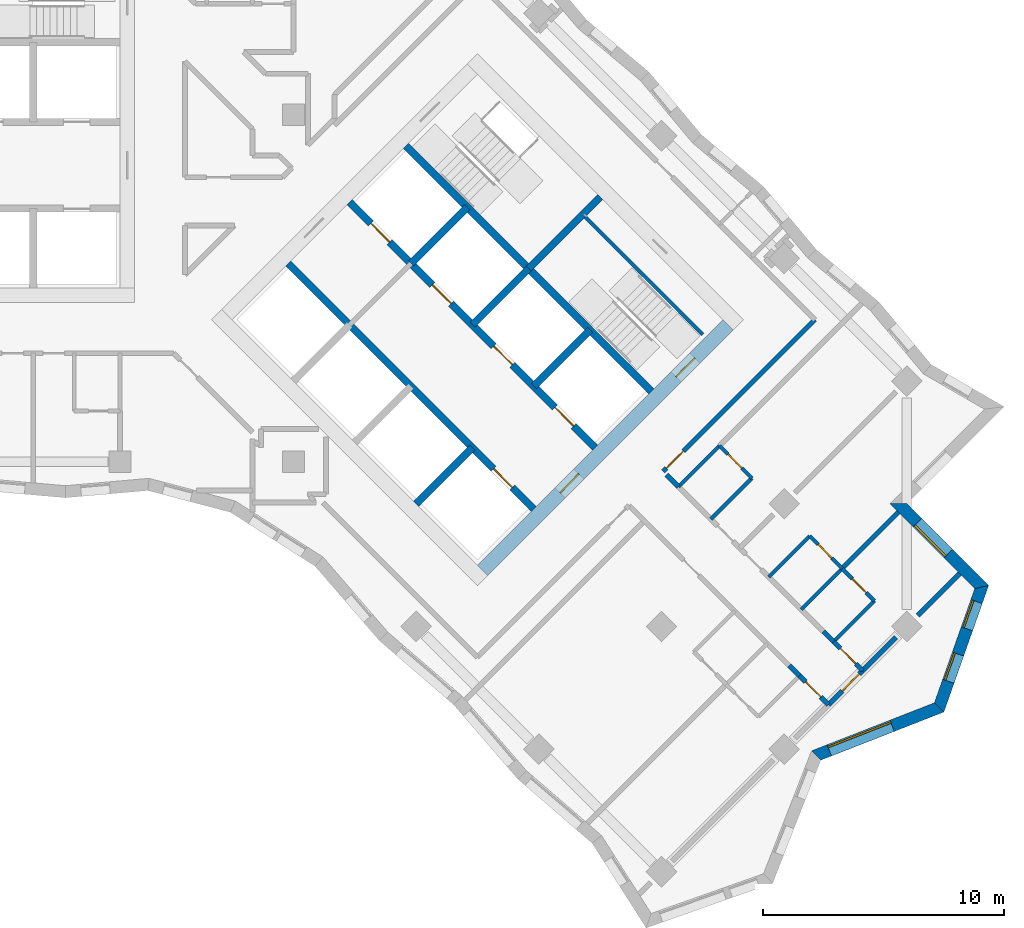
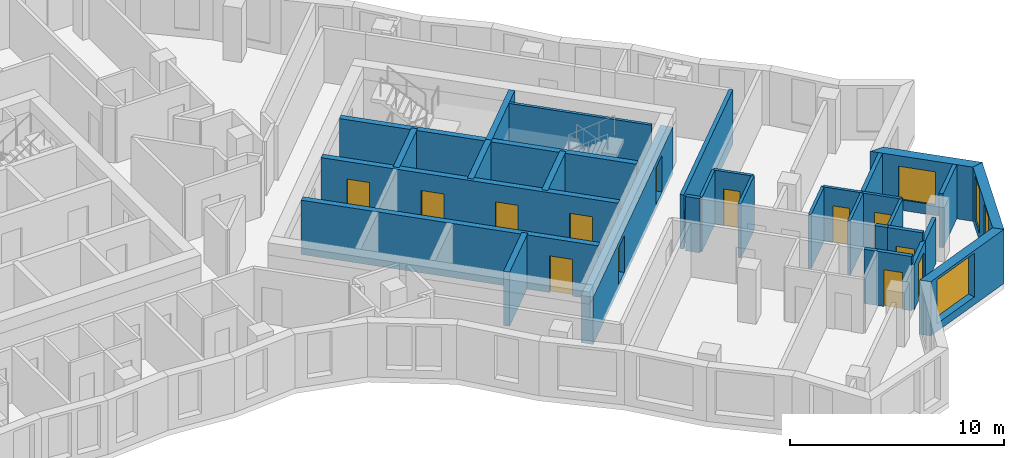
# One storey, part 8 of 12: 32 walls, 14 doors, 4 windows, 18 openings.
"""IFC4 building model written with IfcOpenShell, lengths in metres."""

from ifc_helpers import new_model, si_unit, direction, frame, frame_2d, origin, place, context, subcontext, project, spatial, polyline, rectangle, outline, extrude, material, layer, layer_set, type_object, element, fill, save


model = new_model("IFC4")

# Units and contexts
model_context = context("Model", 3, precision=1e-05, world=origin(), true_north=direction((0.0, 1.0)))
body_context = subcontext(model_context, "Body", "Model", "MODEL_VIEW")
ifc_project = project(units=[si_unit("LENGTHUNIT", "METRE"), si_unit("AREAUNIT", "SQUARE_METRE"), si_unit("VOLUMEUNIT", "CUBIC_METRE"), si_unit("PLANEANGLEUNIT", "RADIAN"), si_unit("MASSUNIT", "GRAM", prefix="KILO")], contexts=[model_context])

# Site, building, storey
site_placement = place(None, origin())
site = spatial("IfcSite", under=ifc_project, at=site_placement, CompositionType="ELEMENT")
building_placement = place(site_placement, origin())
building = spatial("IfcBuilding", under=site, at=building_placement, Name="Windrow Commons", CompositionType="ELEMENT")
storey_placement = place(building_placement, frame((0.0, 0.0, 135.4)))
storey = spatial("IfcBuildingStorey", under=building, at=storey_placement, Name="L36", CompositionType="ELEMENT", Elevation=135.4)

# Wall, opening, window
ifc_material_1 = material(Name="Brick masonry, red clay brick", Category="masonry")
ifc_layer_1 = layer(ifc_material_1, 0.5)
ifc_layer_set_1 = layer_set([ifc_layer_1], Name="Brick facade wall 500")
wall_type_1 = type_object("IfcWallType", Name="Brick facade wall 500", PredefinedType="SOLIDWALL", material=ifc_layer_set_1)
wall_1_placement = place(storey_placement, frame((100.892, 31.004, 0.0), z_axis=(0.0, 0.0, 1.0), x_axis=(0.9313377775, 0.364156483, 0.0)))
wall_1 = element("IfcWall", 1, at=wall_1_placement, inside=storey, type_object=wall_type_1, Name="Brick facade wall L36 3", PredefinedType="SOLIDWALL", context=body_context, shape_type="SweptSolid", body=[
    extrude(outline(polyline([(0.1095, -0.25), (5.595, -0.25), (5.3662, 0.25), (-0.1095, 0.25), (0.1095, -0.25)])), origin(), (0.0, 0.0, 1.0), 3.1),
])
opening_1_placement = place(wall_1_placement, frame((0.5833, 0.0, 0.45)))
opening_1 = element("IfcOpeningElement", 2, at=opening_1_placement, cuts=wall_1, Name="Opening W1U", PredefinedType="OPENING", context=body_context, shape_type="SweptSolid", body=[
    extrude(rectangle(XDim=2.8, YDim=2.5, at=frame_2d((1.4, 1.25))), frame((0.0, 0.26, 0.0), z_axis=(0.0, -1.0, 0.0), x_axis=(1.0, 0.0, 0.0)), (0.0, 0.0, 1.0), 0.52),
])
ifc_material_2 = material(Name="Clear float glass in anodised aluminium frame", Category="aluminium")
window_type_1 = type_object("IfcWindowType", Name="Window W1U bedroom 2800x2500", PartitioningType="SINGLE_PANEL", PredefinedType="WINDOW", material=ifc_material_2)
window_1_placement = place(opening_1_placement, origin())
window_1 = element("IfcWindow", 3, at=window_1_placement, inside=storey, type_object=window_type_1, Name="Window L36 3.1", OverallHeight=2.5, OverallWidth=2.8, PartitioningType="SINGLE_PANEL", PredefinedType="WINDOW", context=body_context, shape_type="SweptSolid", body=[
    extrude(rectangle(XDim=2.8, YDim=2.5, at=frame_2d((1.4, 1.25))), frame((0.0, 0.18, 0.0), z_axis=(0.0, -1.0, 0.0), x_axis=(1.0, 0.0, 0.0)), (0.0, 0.0, 1.0), 0.06),
])
fill(opening_1, window_1)

# Wall, openings, windows
wall_2_placement = place(storey_placement, frame((105.9963, 32.9998, 0.0), z_axis=(0.0, 0.0, 1.0), x_axis=(0.3333039777, 0.9428194199, 0.0)))
wall_2 = element("IfcWall", 4, at=wall_2_placement, inside=storey, type_object=wall_type_1, Name="Brick facade wall L36 4", PredefinedType="SOLIDWALL", context=body_context, shape_type="SweptSolid", body=[
    extrude(outline(polyline([(-0.1144, -0.25), (5.4543, -0.25), (5.139, 0.25), (0.1144, 0.25), (-0.1144, -0.25)])), origin(), (0.0, 0.0, 1.0), 3.1),
])
opening_2_placement = place(wall_2_placement, frame((1.1483, 0.0, 0.45)))
opening_2 = element("IfcOpeningElement", 5, at=opening_2_placement, cuts=wall_2, Name="Opening W7E", PredefinedType="OPENING", context=body_context, shape_type="SweptSolid", body=[
    extrude(rectangle(XDim=1.2, YDim=2.5, at=frame_2d((0.6, 1.25))), frame((0.0, 0.26, 0.0), z_axis=(0.0, -1.0, 0.0), x_axis=(1.0, 0.0, 0.0)), (0.0, 0.0, 1.0), 0.52),
])
opening_3_placement = place(wall_2_placement, frame((3.4606, 0.0, 0.45)))
opening_3 = element("IfcOpeningElement", 6, at=opening_3_placement, cuts=wall_2, Name="Opening W7E", PredefinedType="OPENING", context=body_context, shape_type="SweptSolid", body=[
    extrude(rectangle(XDim=1.2, YDim=2.5, at=frame_2d((0.6, 1.25))), frame((0.0, 0.26, 0.0), z_axis=(0.0, -1.0, 0.0), x_axis=(1.0, 0.0, 0.0)), (0.0, 0.0, 1.0), 0.52),
])
ifc_material_3 = material(Name="Clear float glass in anodised aluminium frame", Category="aluminium")
window_type_2 = type_object("IfcWindowType", Name="Window W7 notch 1200x2500", PartitioningType="SINGLE_PANEL", PredefinedType="WINDOW", material=ifc_material_3)
window_2_placement = place(opening_2_placement, origin())
window_2 = element("IfcWindow", 7, at=window_2_placement, inside=storey, type_object=window_type_2, Name="Window L36 4.1", OverallHeight=2.5, OverallWidth=1.2, PartitioningType="SINGLE_PANEL", PredefinedType="WINDOW", context=body_context, shape_type="SweptSolid", body=[
    extrude(rectangle(XDim=1.2, YDim=2.5, at=frame_2d((0.6, 1.25))), frame((0.0, 0.18, 0.0), z_axis=(0.0, -1.0, 0.0), x_axis=(1.0, 0.0, 0.0)), (0.0, 0.0, 1.0), 0.06),
])
fill(opening_2, window_2)
window_3_placement = place(opening_3_placement, origin())
window_3 = element("IfcWindow", 8, at=window_3_placement, inside=storey, type_object=window_type_2, Name="Window L36 4.2", OverallHeight=2.5, OverallWidth=1.2, PartitioningType="SINGLE_PANEL", PredefinedType="WINDOW", context=body_context, shape_type="SweptSolid", body=[
    extrude(rectangle(XDim=1.2, YDim=2.5, at=frame_2d((0.6, 1.25))), frame((0.0, 0.18, 0.0), z_axis=(0.0, -1.0, 0.0), x_axis=(1.0, 0.0, 0.0)), (0.0, 0.0, 1.0), 0.06),
])
fill(opening_3, window_3)

# Wall, opening, window
wall_3_placement = place(storey_placement, frame((107.7617, 37.9936, 0.0), z_axis=(0.0, 0.0, 1.0), x_axis=(-0.707117001, 0.7070965612, 0.0)))
wall_3 = element("IfcWall", 9, at=wall_3_placement, inside=storey, type_object=wall_type_1, Name="Brick facade wall L36 5", PredefinedType="SOLIDWALL", context=body_context, shape_type="SweptSolid", body=[
    extrude(outline(polyline([(-0.1577, -0.25), (4.6424, -0.25), (5.1424, 0.25), (0.1577, 0.25), (-0.1577, -0.25)])), origin(), (0.0, 0.0, 1.0), 3.1),
])
opening_4_placement = place(wall_3_placement, frame((1.9674, 0.0, 0.6)))
opening_4 = element("IfcOpeningElement", 10, at=opening_4_placement, cuts=wall_3, Name="Opening W1L", PredefinedType="OPENING", context=body_context, shape_type="SweptSolid", body=[
    extrude(rectangle(XDim=1.8, YDim=1.9, at=frame_2d((0.9, 0.95))), frame((0.0, 0.26, 0.0), z_axis=(0.0, -1.0, 0.0), x_axis=(1.0, 0.0, 0.0)), (0.0, 0.0, 1.0), 0.52),
])
ifc_material_4 = material(Name="Clear float glass in anodised aluminium frame", Category="aluminium")
window_type_3 = type_object("IfcWindowType", Name="Window W1L bedroom 1800x1900", PartitioningType="SINGLE_PANEL", PredefinedType="WINDOW", material=ifc_material_4)
window_4_placement = place(opening_4_placement, origin())
window_4 = element("IfcWindow", 11, at=window_4_placement, inside=storey, type_object=window_type_3, Name="Window L36 5.1", OverallHeight=1.9, OverallWidth=1.8, PartitioningType="SINGLE_PANEL", PredefinedType="WINDOW", context=body_context, shape_type="SweptSolid", body=[
    extrude(rectangle(XDim=1.8, YDim=1.9, at=frame_2d((0.9, 0.95))), frame((0.0, 0.18, 0.0), z_axis=(0.0, -1.0, 0.0), x_axis=(1.0, 0.0, 0.0)), (0.0, 0.0, 1.0), 0.06),
])
fill(opening_4, window_4)

# Wall, opening, door
ifc_material_5 = material(Name="Blockwork partition", Category="masonry")
ifc_layer_2 = layer(ifc_material_5, 0.2)
ifc_layer_set_2 = layer_set([ifc_layer_2], Name="IW-CORRIDOR-200")
wall_type_2 = type_object("IfcWallType", Name="IW-CORRIDOR-200", PredefinedType="PARTITIONING", material=ifc_layer_set_2)
wall_4_placement = place(storey_placement, frame((94.543, 42.797, 0.0), z_axis=(0.0, 0.0, 1.0), x_axis=(0.7071067812, 0.7071067812, 0.0)))
wall_4 = element("IfcWall", 12, at=wall_4_placement, inside=storey, type_object=wall_type_2, Name="W-L36-W010", PredefinedType="PARTITIONING", context=body_context, shape_type="SweptSolid", body=[
    extrude(rectangle(XDim=8.9011, YDim=0.2, at=frame_2d((4.4505, 0.0))), origin(), (0.0, 0.0, 1.0), 3.1),
])
opening_5_placement = place(wall_4_placement, frame((0.1931, 0.0, 0.0)))
opening_5 = element("IfcOpeningElement", 13, at=opening_5_placement, cuts=wall_4, Name="Opening D310F", PredefinedType="OPENING", context=body_context, shape_type="SweptSolid", body=[
    extrude(rectangle(XDim=1.0, YDim=2.1, at=frame_2d((0.5, 1.05))), frame((0.0, 0.11, 0.0), z_axis=(0.0, -1.0, 0.0), x_axis=(1.0, 0.0, 0.0)), (0.0, 0.0, 1.0), 0.22),
])
ifc_material_6 = material(Name="Timber door leaf", Category="wood")
door_type_1 = type_object("IfcDoorType", Name="DT-AMENITY-1000", OperationType="SINGLE_SWING_LEFT", PredefinedType="DOOR", material=ifc_material_6)
door_1_placement = place(opening_5_placement, origin())
door_1 = element("IfcDoor", 14, at=door_1_placement, inside=storey, type_object=door_type_1, Name="D-L36-D041", OperationType="SINGLE_SWING_LEFT", OverallHeight=2.1, OverallWidth=1.0, PredefinedType="DOOR", context=body_context, shape_type="SweptSolid", body=[
    extrude(rectangle(XDim=1.0, YDim=2.1, at=frame_2d((0.5, 1.05))), frame((0.0, 0.025, 0.0), z_axis=(0.0, -1.0, 0.0), x_axis=(1.0, 0.0, 0.0)), (0.0, 0.0, 1.0), 0.05),
])
fill(opening_5, door_1)

wall_5_placement = place(storey_placement, frame((101.4032, 33.1108, 0.0), z_axis=(0.0, 0.0, 1.0), x_axis=(0.7071067812, 0.7071067812, 0.0)))
wall_5 = element("IfcWall", 15, at=wall_5_placement, inside=storey, type_object=wall_type_2, Name="W-L36-W110", PredefinedType="PARTITIONING", context=body_context, shape_type="SweptSolid", body=[
    extrude(rectangle(XDim=1.9997, YDim=0.2, at=frame_2d((0.9999, 0.0))), origin(), (0.0, 0.0, 1.0), 2.6),
])
opening_6_placement = place(wall_5_placement, frame((0.8016, 0.0, 0.0)))
opening_6 = element("IfcOpeningElement", 16, at=opening_6_placement, cuts=wall_5, Name="Opening D310F", PredefinedType="OPENING", context=body_context, shape_type="SweptSolid", body=[
    extrude(rectangle(XDim=1.0, YDim=2.1, at=frame_2d((0.5, 1.05))), frame((0.0, 0.11, 0.0), z_axis=(0.0, -1.0, 0.0), x_axis=(1.0, 0.0, 0.0)), (0.0, 0.0, 1.0), 0.22),
])
door_2_placement = place(opening_6_placement, origin())
door_2 = element("IfcDoor", 17, at=door_2_placement, inside=storey, type_object=door_type_1, Name="D-L36-D053", OperationType="SINGLE_SWING_RIGHT", OverallHeight=2.1, OverallWidth=1.0, PredefinedType="DOOR", context=body_context, shape_type="SweptSolid", body=[
    extrude(rectangle(XDim=1.0, YDim=2.1, at=frame_2d((0.5, 1.05))), frame((0.0, 0.025, 0.0), z_axis=(0.0, -1.0, 0.0), x_axis=(1.0, 0.0, 0.0)), (0.0, 0.0, 1.0), 0.05),
])
fill(opening_6, door_2)

wall_6_placement = place(storey_placement, frame((100.205, 34.315, 0.0), z_axis=(0.0, 0.0, 1.0), x_axis=(0.7071067812, -0.7071067812, 0.0)))
wall_6 = element("IfcWall", 18, at=wall_6_placement, inside=storey, type_object=wall_type_2, Name="W-L36-W131", PredefinedType="PARTITIONING", context=body_context, shape_type="SweptSolid", body=[
    extrude(rectangle(XDim=1.6999, YDim=0.2, at=frame_2d((0.8499, 0.0))), origin(), (0.0, 0.0, 1.0), 3.1),
])
opening_7_placement = place(wall_6_placement, frame((0.3499, 0.0, 0.0)))
opening_7 = element("IfcOpeningElement", 19, at=opening_7_placement, cuts=wall_6, Name="Opening D109S", PredefinedType="OPENING", context=body_context, shape_type="SweptSolid", body=[
    extrude(rectangle(XDim=0.9, YDim=2.1, at=frame_2d((0.45, 1.05))), frame((0.0, 0.11, 0.0), z_axis=(0.0, -1.0, 0.0), x_axis=(1.0, 0.0, 0.0)), (0.0, 0.0, 1.0), 0.22),
])
ifc_material_7 = material(Name="Timber door leaf", Category="wood")
door_type_2 = type_object("IfcDoorType", Name="DT-BEDROOM-900", OperationType="SINGLE_SWING_LEFT", PredefinedType="DOOR", material=ifc_material_7)
door_3_placement = place(opening_7_placement, origin())
door_3 = element("IfcDoor", 20, at=door_3_placement, inside=storey, type_object=door_type_2, Name="D-L36-D049", OperationType="SINGLE_SWING_LEFT", OverallHeight=2.1, OverallWidth=0.9, PredefinedType="DOOR", context=body_context, shape_type="SweptSolid", body=[
    extrude(rectangle(XDim=0.9, YDim=2.1, at=frame_2d((0.45, 1.05))), frame((0.0, 0.025, 0.0), z_axis=(0.0, -1.0, 0.0), x_axis=(1.0, 0.0, 0.0)), (0.0, 0.0, 1.0), 0.05),
])
fill(opening_7, door_3)

wall_7_placement = place(storey_placement, frame((101.6192, 35.7292, 0.0), z_axis=(0.0, 0.0, 1.0), x_axis=(0.7071067812, -0.7071067812, 0.0)))
wall_7 = element("IfcWall", 21, at=wall_7_placement, inside=storey, type_object=wall_type_2, Name="W-L36-W132", PredefinedType="PARTITIONING", context=body_context, shape_type="SweptSolid", body=[
    extrude(rectangle(XDim=1.6999, YDim=0.2, at=frame_2d((0.8499, 0.0))), origin(), (0.0, 0.0, 1.0), 3.1),
])
opening_8_placement = place(wall_7_placement, frame((0.3999, 0.0, 0.0)))
opening_8 = element("IfcOpeningElement", 22, at=opening_8_placement, cuts=wall_7, Name="Opening D109S", PredefinedType="OPENING", context=body_context, shape_type="SweptSolid", body=[
    extrude(rectangle(XDim=0.9, YDim=2.1, at=frame_2d((0.45, 1.05))), frame((0.0, 0.11, 0.0), z_axis=(0.0, -1.0, 0.0), x_axis=(1.0, 0.0, 0.0)), (0.0, 0.0, 1.0), 0.22),
])
door_4_placement = place(opening_8_placement, origin())
door_4 = element("IfcDoor", 23, at=door_4_placement, inside=storey, type_object=door_type_2, Name="D-L36-D051", OperationType="SINGLE_SWING_RIGHT", OverallHeight=2.1, OverallWidth=0.9, PredefinedType="DOOR", context=body_context, shape_type="SweptSolid", body=[
    extrude(rectangle(XDim=0.9, YDim=2.1, at=frame_2d((0.45, 1.05))), frame((0.0, 0.025, 0.0), z_axis=(0.0, -1.0, 0.0), x_axis=(1.0, 0.0, 0.0)), (0.0, 0.0, 1.0), 0.05),
])
fill(opening_8, door_4)

# Walls
wall_8_placement = place(storey_placement, frame((94.6863, 42.6563, 0.0), z_axis=(0.0, 0.0, 1.0), x_axis=(0.7056768426, -0.7085338339, 0.0)))
element("IfcWall", 24, at=wall_8_placement, inside=storey, type_object=wall_type_2, Name="W-L36-W155", PredefinedType="PARTITIONING", context=body_context, shape_type="SweptSolid", body=[
    extrude(rectangle(XDim=0.7, YDim=0.2, at=frame_2d((0.35, 0.0))), origin(), (0.0, 0.0, 1.0), 3.1),
])
for number, where, z_axis, x_axis, name in (
    (25, (101.186, 36.1581, 0.0), (0.0, 0.0, 1.0), (0.7087454925, -0.7054642634, 0.0), "W-L36-W158"),
    (26, (99.7718, 34.7438, 0.0), (0.0, 0.0, 1.0), (0.7087454925, -0.7054642634, 0.0), "W-L36-W159"),
):
    element("IfcWall", number, at=place(storey_placement, frame(where, z_axis=z_axis, x_axis=x_axis)), inside=storey, type_object=wall_type_2, Name=name, PredefinedType="PARTITIONING", context=body_context, shape_type="SweptSolid", body=[
        extrude(rectangle(XDim=0.6095, YDim=0.2, at=frame_2d((0.3048, 0.0))), origin(), (0.0, 0.0, 1.0), 3.1),
    ])
ifc_material_8 = material(Name="Blockwork partition", Category="masonry")
ifc_layer_3 = layer(ifc_material_8, 0.15)
ifc_layer_set_3 = layer_set([ifc_layer_3], Name="IW-ENSUITE-150")
wall_type_3 = type_object("IfcWallType", Name="IW-ENSUITE-150", PredefinedType="PARTITIONING", material=ifc_layer_set_3)
for number, where, z_axis, x_axis, name in (
    (27, (96.5229, 40.8171, 0.0), (0.0, 0.0, 1.0), (0.7071067812, 0.7071067812, 0.0), "W-L36-W061"),
    (28, (98.9271, 38.4129, 0.0), (0.0, 0.0, 1.0), (0.7071067812, 0.7071067812, 0.0), "W-L36-W062"),
    (29, (95.1794, 42.1606, 0.0), (0.0, 0.0, 1.0), (0.7071067812, 0.7071067812, 0.0), "W-L36-W064"),
):
    element("IfcWall", number, at=place(storey_placement, frame(where, z_axis=z_axis, x_axis=x_axis)), inside=storey, type_object=wall_type_3, Name=name, PredefinedType="PARTITIONING", context=body_context, shape_type="SweptSolid", body=[
        extrude(rectangle(XDim=2.4013, YDim=0.15, at=frame_2d((1.2006, 0.0))), origin(), (0.0, 0.0, 1.0), 3.1),
    ])
wall_9_placement = place(storey_placement, frame((100.2726, 37.0674, 0.0), z_axis=(0.0, 0.0, 1.0), x_axis=(0.706689978, 0.7075233388, 0.0)))
element("IfcWall", 30, at=wall_9_placement, inside=storey, type_object=wall_type_3, Name="W-L36-W088", PredefinedType="PARTITIONING", context=body_context, shape_type="SweptSolid", body=[
    extrude(rectangle(XDim=2.3999, YDim=0.15, at=frame_2d((1.2, 0.0))), origin(), (0.0, 0.0, 1.0), 3.1),
])
wall_10_placement = place(storey_placement, frame((101.6151, 35.7269, 0.0), z_axis=(0.0, 0.0, 1.0), x_axis=(0.7071067812, 0.7071067812, 0.0)))
element("IfcWall", 31, at=wall_10_placement, inside=storey, type_object=wall_type_3, Name="W-L36-W091", PredefinedType="PARTITIONING", context=body_context, shape_type="SweptSolid", body=[
    extrude(rectangle(XDim=2.3985, YDim=0.15, at=frame_2d((1.1992, 0.0))), origin(), (0.0, 0.0, 1.0), 3.1),
])

# Wall, opening, door
wall_11_placement = place(storey_placement, frame((96.8813, 43.8613, 0.0), z_axis=(0.0, 0.0, 1.0), x_axis=(0.7071067812, -0.7071067812, 0.0)))
wall_11 = element("IfcWall", 32, at=wall_11_placement, inside=storey, type_object=wall_type_3, Name="W-L36-W115", PredefinedType="PARTITIONING", context=body_context, shape_type="SweptSolid", body=[
    extrude(rectangle(XDim=1.9007, YDim=0.15, at=frame_2d((0.9504, 0.0))), origin(), (0.0, 0.0, 1.0), 3.1),
])
opening_9_placement = place(wall_11_placement, frame((0.5053, 0.0, 0.0)))
opening_9 = element("IfcOpeningElement", 33, at=opening_9_placement, cuts=wall_11, Name="Opening D208N", PredefinedType="OPENING", context=body_context, shape_type="SweptSolid", body=[
    extrude(rectangle(XDim=0.8, YDim=2.1, at=frame_2d((0.4, 1.05))), frame((0.0, 0.085, 0.0), z_axis=(0.0, -1.0, 0.0), x_axis=(1.0, 0.0, 0.0)), (0.0, 0.0, 1.0), 0.17),
])
ifc_material_9 = material(Name="Timber door leaf", Category="wood")
door_type_3 = type_object("IfcDoorType", Name="DT-ENSUITE-800", OperationType="SINGLE_SWING_LEFT", PredefinedType="DOOR", material=ifc_material_9)
door_5_placement = place(opening_9_placement, origin())
door_5 = element("IfcDoor", 34, at=door_5_placement, inside=storey, type_object=door_type_3, Name="D-L36-D043", OperationType="SINGLE_SWING_RIGHT", OverallHeight=2.1, OverallWidth=0.8, PredefinedType="DOOR", context=body_context, shape_type="SweptSolid", body=[
    extrude(rectangle(XDim=0.8, YDim=2.1, at=frame_2d((0.4, 1.05))), frame((0.0, 0.025, 0.0), z_axis=(0.0, -1.0, 0.0), x_axis=(1.0, 0.0, 0.0)), (0.0, 0.0, 1.0), 0.05),
])
fill(opening_9, door_5)

wall_12_placement = place(storey_placement, frame((101.9652, 38.7632, 0.0), z_axis=(0.0, 0.0, 1.0), x_axis=(0.7071067812, -0.7071067812, 0.0)))
wall_12 = element("IfcWall", 35, at=wall_12_placement, inside=storey, type_object=wall_type_3, Name="W-L36-W116", PredefinedType="PARTITIONING", context=body_context, shape_type="SweptSolid", body=[
    extrude(rectangle(XDim=1.9007, YDim=0.15, at=frame_2d((0.9504, 0.0))), origin(), (0.0, 0.0, 1.0), 3.1),
])
opening_10_placement = place(wall_12_placement, frame((0.6075, 0.0, 0.0)))
opening_10 = element("IfcOpeningElement", 36, at=opening_10_placement, cuts=wall_12, Name="Opening D208N", PredefinedType="OPENING", context=body_context, shape_type="SweptSolid", body=[
    extrude(rectangle(XDim=0.8, YDim=2.1, at=frame_2d((0.4, 1.05))), frame((0.0, 0.085, 0.0), z_axis=(0.0, -1.0, 0.0), x_axis=(1.0, 0.0, 0.0)), (0.0, 0.0, 1.0), 0.17),
])
door_6_placement = place(opening_10_placement, origin())
door_6 = element("IfcDoor", 37, at=door_6_placement, inside=storey, type_object=door_type_3, Name="D-L36-D052", OperationType="SINGLE_SWING_RIGHT", OverallHeight=2.1, OverallWidth=0.8, PredefinedType="DOOR", context=body_context, shape_type="SweptSolid", body=[
    extrude(rectangle(XDim=0.8, YDim=2.1, at=frame_2d((0.4, 1.05))), frame((0.0, 0.025, 0.0), z_axis=(0.0, -1.0, 0.0), x_axis=(1.0, 0.0, 0.0)), (0.0, 0.0, 1.0), 0.05),
])
fill(opening_10, door_6)

wall_13_placement = place(storey_placement, frame((100.628, 40.112, 0.0), z_axis=(0.0, 0.0, 1.0), x_axis=(0.7065800724, -0.7076330979, 0.0)))
wall_13 = element("IfcWall", 38, at=wall_13_placement, inside=storey, type_object=wall_type_3, Name="W-L36-W125", PredefinedType="PARTITIONING", context=body_context, shape_type="SweptSolid", body=[
    extrude(rectangle(XDim=1.8993, YDim=0.15, at=frame_2d((0.9496, 0.0))), origin(), (0.0, 0.0, 1.0), 3.1),
])
opening_11_placement = place(wall_13_placement, frame((0.493, 0.0, 0.0)))
opening_11 = element("IfcOpeningElement", 39, at=opening_11_placement, cuts=wall_13, Name="Opening D208N", PredefinedType="OPENING", context=body_context, shape_type="SweptSolid", body=[
    extrude(rectangle(XDim=0.8, YDim=2.1, at=frame_2d((0.4, 1.05))), frame((0.0, 0.085, 0.0), z_axis=(0.0, -1.0, 0.0), x_axis=(1.0, 0.0, 0.0)), (0.0, 0.0, 1.0), 0.17),
])
door_7_placement = place(opening_11_placement, origin())
door_7 = element("IfcDoor", 40, at=door_7_placement, inside=storey, type_object=door_type_3, Name="D-L36-D048", OperationType="SINGLE_SWING_RIGHT", OverallHeight=2.1, OverallWidth=0.8, PredefinedType="DOOR", context=body_context, shape_type="SweptSolid", body=[
    extrude(rectangle(XDim=0.8, YDim=2.1, at=frame_2d((0.4, 1.05))), frame((0.0, 0.025, 0.0), z_axis=(0.0, -1.0, 0.0), x_axis=(1.0, 0.0, 0.0)), (0.0, 0.0, 1.0), 0.05),
])
fill(opening_11, door_7)

# Walls
ifc_material_10 = material(Name="Blockwork partition", Category="masonry")
ifc_layer_4 = layer(ifc_material_10, 0.2)
ifc_layer_set_4 = layer_set([ifc_layer_4], Name="IW-PARTY-200")
wall_type_4 = type_object("IfcWallType", Name="IW-PARTY-200", PredefinedType="PARTITIONING", material=ifc_layer_set_4)
wall_14_placement = place(storey_placement, frame((101.9676, 38.7664, 0.0), z_axis=(0.0, 0.0, 1.0), x_axis=(0.7071067812, 0.7071067812, 0.0)))
element("IfcWall", 41, at=wall_14_placement, inside=storey, type_object=wall_type_4, Name="W-L36-W049", PredefinedType="PARTITIONING", context=body_context, shape_type="SweptSolid", body=[
    extrude(rectangle(XDim=3.3005, YDim=0.2, at=frame_2d((1.6502, 0.0))), origin(), (0.0, 0.0, 1.0), 3.1),
])
wall_15_placement = place(storey_placement, frame((105.1052, 36.8128, 0.0), z_axis=(0.0, 0.0, 1.0), x_axis=(0.7071067812, 0.7071067812, 0.0)))
element("IfcWall", 42, at=wall_15_placement, inside=storey, type_object=wall_type_4, Name="W-L36-W060", PredefinedType="PARTITIONING", context=body_context, shape_type="SweptSolid", body=[
    extrude(rectangle(XDim=2.4634, YDim=0.2, at=frame_2d((1.2317, 0.0))), origin(), (0.0, 0.0, 1.0), 3.1),
])
wall_16_placement = place(storey_placement, frame((102.8172, 34.5248, 0.0), z_axis=(0.0, 0.0, 1.0), x_axis=(0.7071067812, 0.7071067812, 0.0)))
element("IfcWall", 43, at=wall_16_placement, inside=storey, type_object=wall_type_4, Name="W-L36-W113", PredefinedType="PARTITIONING", context=body_context, shape_type="SweptSolid", body=[
    extrude(rectangle(XDim=1.9629, YDim=0.2, at=frame_2d((0.9815, 0.0))), origin(), (0.0, 0.0, 1.0), 2.6),
])

# Wall, openings, doors
ifc_material_11 = material(Name="Concrete C50/60", Category="concrete")
ifc_layer_5 = layer(ifc_material_11, 0.6)
ifc_layer_set_5 = layer_set([ifc_layer_5], Name="RC CORE WALL 600 C50/60")
wall_type_5 = type_object("IfcWallType", Name="RC CORE WALL 600 C50/60", PredefinedType="SHEAR", material=ifc_layer_set_5)
wall_17_placement = place(storey_placement, frame((87.0489, 38.6953, -0.3), z_axis=(0.0, 0.0, 1.0), x_axis=(0.7071067812, 0.7071067812, 0.0)))
wall_17 = element("IfcWall", 44, at=wall_17_placement, inside=storey, type_object=wall_type_5, Name="Core B wall outer-E", PredefinedType="SHEAR", context=body_context, shape_type="SweptSolid", body=[
    extrude(rectangle(XDim=14.3999, YDim=0.6, at=frame_2d((7.2, 0.0))), origin(), (0.0, 0.0, 1.0), 2.7),
])
opening_12_placement = place(wall_17_placement, frame((4.55, 0.0, 0.3)))
opening_12 = element("IfcOpeningElement", 45, at=opening_12_placement, cuts=wall_17, Name="Opening D6", PredefinedType="OPENING", context=body_context, shape_type="SweptSolid", body=[
    extrude(rectangle(XDim=1.1, YDim=2.1, at=frame_2d((0.55, 1.05))), frame((0.0, 0.31, 0.0), z_axis=(0.0, -1.0, 0.0), x_axis=(1.0, 0.0, 0.0)), (0.0, 0.0, 1.0), 0.62),
])
opening_13_placement = place(wall_17_placement, frame((11.35, 0.0, 0.3)))
opening_13 = element("IfcOpeningElement", 46, at=opening_13_placement, cuts=wall_17, Name="Opening D7", PredefinedType="OPENING", context=body_context, shape_type="SweptSolid", body=[
    extrude(rectangle(XDim=1.1, YDim=2.1, at=frame_2d((0.55, 1.05))), frame((0.0, 0.31, 0.0), z_axis=(0.0, -1.0, 0.0), x_axis=(1.0, 0.0, 0.0)), (0.0, 0.0, 1.0), 0.62),
])
ifc_material_12 = material(Name="Steel fire door leaf", Category="steel")
door_type_4 = type_object("IfcDoorType", Name="Core lobby door 1100", OperationType="SINGLE_SWING_LEFT", PredefinedType="DOOR", material=ifc_material_12)
door_8_placement = place(opening_12_placement, origin())
door_8 = element("IfcDoor", 47, at=door_8_placement, inside=storey, type_object=door_type_4, Name="Lift lobby door", OperationType="DOUBLE_DOOR_SINGLE_SWING", OverallHeight=2.1, OverallWidth=1.1, PredefinedType="DOOR", context=body_context, shape_type="SweptSolid", body=[
    extrude(rectangle(XDim=1.1, YDim=2.1, at=frame_2d((0.55, 1.05))), frame((0.0, 0.025, 0.0), z_axis=(0.0, -1.0, 0.0), x_axis=(1.0, 0.0, 0.0)), (0.0, 0.0, 1.0), 0.05),
])
fill(opening_12, door_8)
ifc_material_13 = material(Name="Steel fire door leaf", Category="steel")
door_type_5 = type_object("IfcDoorType", Name="Stair door 1100", OperationType="SINGLE_SWING_LEFT", PredefinedType="DOOR", material=ifc_material_13)
door_9_placement = place(opening_13_placement, origin())
door_9 = element("IfcDoor", 48, at=door_9_placement, inside=storey, type_object=door_type_5, Name="Stair door", OperationType="SINGLE_SWING_RIGHT", OverallHeight=2.1, OverallWidth=1.1, PredefinedType="DOOR", context=body_context, shape_type="SweptSolid", body=[
    extrude(rectangle(XDim=1.1, YDim=2.1, at=frame_2d((0.55, 1.05))), frame((0.0, 0.025, 0.0), z_axis=(0.0, -1.0, 0.0), x_axis=(1.0, 0.0, 0.0)), (0.0, 0.0, 1.0), 0.05),
])
fill(opening_13, door_9)

# Walls
ifc_material_14 = material(Name="Concrete C50/60", Category="concrete")
ifc_layer_6 = layer(ifc_material_14, 0.3)
ifc_layer_set_6 = layer_set([ifc_layer_6], Name="RC SHAFT WALL 300 C50/60")
wall_type_6 = type_object("IfcWallType", Name="RC SHAFT WALL 300 C50/60", PredefinedType="SOLIDWALL", material=ifc_layer_set_6)
wall_18_placement = place(storey_placement, frame((84.079, 51.4232, 0.0), z_axis=(0.0, 0.0, 1.0), x_axis=(0.7071219326, 0.7070916295, 0.0)))
element("IfcWall", 49, at=wall_18_placement, inside=storey, type_object=wall_type_6, Name="Core B wall shaft-N1", PredefinedType="SOLIDWALL", context=body_context, shape_type="SweptSolid", body=[
    extrude(rectangle(XDim=3.3, YDim=0.3, at=frame_2d((1.65, 0.0))), origin(), (0.0, 0.0, 1.0), 3.1),
])
wall_19_placement = place(storey_placement, frame((86.6246, 48.8776, 0.0), z_axis=(0.0, 0.0, 1.0), x_axis=(0.7071067812, 0.7071067812, 0.0)))
element("IfcWall", 50, at=wall_19_placement, inside=storey, type_object=wall_type_6, Name="Core B wall shaft-N2", PredefinedType="SOLIDWALL", context=body_context, shape_type="SweptSolid", body=[
    extrude(rectangle(XDim=3.3001, YDim=0.3, at=frame_2d((1.6501, 0.0))), origin(), (0.0, 0.0, 1.0), 3.1),
])
wall_20_placement = place(storey_placement, frame((84.2912, 41.453, 0.0), z_axis=(0.0, 0.0, 1.0), x_axis=(0.7071067812, 0.7071067812, 0.0)))
element("IfcWall", 51, at=wall_20_placement, inside=storey, type_object=wall_type_6, Name="Core B wall shaft-S3", PredefinedType="SOLIDWALL", context=body_context, shape_type="SweptSolid", body=[
    extrude(rectangle(XDim=3.2999, YDim=0.3, at=frame_2d((1.65, 0.0))), origin(), (0.0, 0.0, 1.0), 3.1),
])
wall_21_placement = place(storey_placement, frame((89.1702, 46.332, 0.0), z_axis=(0.0, 0.0, 1.0), x_axis=(0.7071067812, 0.7071067812, 0.0)))
element("IfcWall", 52, at=wall_21_placement, inside=storey, type_object=wall_type_6, Name="Core B wall shaft-N3", PredefinedType="SOLIDWALL", context=body_context, shape_type="SweptSolid", body=[
    extrude(rectangle(XDim=3.3001, YDim=0.3, at=frame_2d((1.6501, 0.0))), origin(), (0.0, 0.0, 1.0), 3.1),
])

# Wall, opening, door
wall_22_placement = place(storey_placement, frame((78.9879, 51.4232, 0.0), z_axis=(0.0, 0.0, 1.0), x_axis=(0.7071067812, -0.7071067812, 0.0)))
wall_22 = element("IfcWall", 53, at=wall_22_placement, inside=storey, type_object=wall_type_6, Name="Core B wall lobby-S", PredefinedType="SOLIDWALL", context=body_context, shape_type="SweptSolid", body=[
    extrude(rectangle(XDim=14.3999, YDim=0.3, at=frame_2d((7.2, 0.0))), origin(), (0.0, 0.0, 1.0), 3.1),
])
opening_14_placement = place(wall_22_placement, frame((12.05, 0.0, 0.0)))
opening_14 = element("IfcOpeningElement", 54, at=opening_14_placement, cuts=wall_22, Name="Opening LD", PredefinedType="OPENING", context=body_context, shape_type="SweptSolid", body=[
    extrude(rectangle(XDim=1.1, YDim=2.1, at=frame_2d((0.55, 1.05))), frame((0.0, 0.16, 0.0), z_axis=(0.0, -1.0, 0.0), x_axis=(1.0, 0.0, 0.0)), (0.0, 0.0, 1.0), 0.32),
])
ifc_material_15 = material(Name="Stainless steel door leaf", Category="steel")
door_type_6 = type_object("IfcDoorType", Name="Lift landing door 1100", OperationType="SLIDING_TO_LEFT", PredefinedType="DOOR", material=ifc_material_15)
door_10_placement = place(opening_14_placement, origin())
door_10 = element("IfcDoor", 55, at=door_10_placement, inside=storey, type_object=door_type_6, Name="Lift landing door", OperationType="SLIDING_TO_RIGHT", OverallHeight=2.1, OverallWidth=1.1, PredefinedType="DOOR", context=body_context, shape_type="SweptSolid", body=[
    extrude(rectangle(XDim=1.1, YDim=2.1, at=frame_2d((0.55, 1.05))), frame((0.0, 0.025, 0.0), z_axis=(0.0, -1.0, 0.0), x_axis=(1.0, 0.0, 0.0)), (0.0, 0.0, 1.0), 0.05),
])
fill(opening_14, door_10)

# Wall, openings, doors
wall_23_placement = place(storey_placement, frame((81.5335, 53.9688, 0.0), z_axis=(0.0, 0.0, 1.0), x_axis=(0.707103309, -0.7071102534, 0.0)))
wall_23 = element("IfcWall", 56, at=wall_23_placement, inside=storey, type_object=wall_type_6, Name="Core B wall lobby-N", PredefinedType="SOLIDWALL", context=body_context, shape_type="SweptSolid", body=[
    extrude(rectangle(XDim=14.4, YDim=0.3, at=frame_2d((7.2, 0.0))), origin(), (0.0, 0.0, 1.0), 3.1),
])
opening_15_placement = place(wall_23_placement, frame((1.25, 0.0, 0.0)))
opening_15 = element("IfcOpeningElement", 57, at=opening_15_placement, cuts=wall_23, Name="Opening LD", PredefinedType="OPENING", context=body_context, shape_type="SweptSolid", body=[
    extrude(rectangle(XDim=1.1, YDim=2.1, at=frame_2d((0.55, 1.05))), frame((0.0, 0.16, 0.0), z_axis=(0.0, -1.0, 0.0), x_axis=(1.0, 0.0, 0.0)), (0.0, 0.0, 1.0), 0.32),
])
opening_16_placement = place(wall_23_placement, frame((4.85, 0.0, 0.0)))
opening_16 = element("IfcOpeningElement", 58, at=opening_16_placement, cuts=wall_23, Name="Opening LD", PredefinedType="OPENING", context=body_context, shape_type="SweptSolid", body=[
    extrude(rectangle(XDim=1.1, YDim=2.1, at=frame_2d((0.55, 1.05))), frame((0.0, 0.16, 0.0), z_axis=(0.0, -1.0, 0.0), x_axis=(1.0, 0.0, 0.0)), (0.0, 0.0, 1.0), 0.32),
])
opening_17_placement = place(wall_23_placement, frame((8.45, 0.0, 0.0)))
opening_17 = element("IfcOpeningElement", 59, at=opening_17_placement, cuts=wall_23, Name="Opening LD", PredefinedType="OPENING", context=body_context, shape_type="SweptSolid", body=[
    extrude(rectangle(XDim=1.1, YDim=2.1, at=frame_2d((0.55, 1.05))), frame((0.0, 0.16, 0.0), z_axis=(0.0, -1.0, 0.0), x_axis=(1.0, 0.0, 0.0)), (0.0, 0.0, 1.0), 0.32),
])
opening_18_placement = place(wall_23_placement, frame((12.05, 0.0, 0.0)))
opening_18 = element("IfcOpeningElement", 60, at=opening_18_placement, cuts=wall_23, Name="Opening LD", PredefinedType="OPENING", context=body_context, shape_type="SweptSolid", body=[
    extrude(rectangle(XDim=1.1, YDim=2.1, at=frame_2d((0.55, 1.05))), frame((0.0, 0.16, 0.0), z_axis=(0.0, -1.0, 0.0), x_axis=(1.0, 0.0, 0.0)), (0.0, 0.0, 1.0), 0.32),
])
door_11_placement = place(opening_15_placement, origin())
door_11 = element("IfcDoor", 61, at=door_11_placement, inside=storey, type_object=door_type_6, Name="Lift landing door", OperationType="SLIDING_TO_LEFT", OverallHeight=2.1, OverallWidth=1.1, PredefinedType="DOOR", context=body_context, shape_type="SweptSolid", body=[
    extrude(rectangle(XDim=1.1, YDim=2.1, at=frame_2d((0.55, 1.05))), frame((0.0, 0.025, 0.0), z_axis=(0.0, -1.0, 0.0), x_axis=(1.0, 0.0, 0.0)), (0.0, 0.0, 1.0), 0.05),
])
fill(opening_15, door_11)
door_12_placement = place(opening_16_placement, origin())
door_12 = element("IfcDoor", 62, at=door_12_placement, inside=storey, type_object=door_type_6, Name="Lift landing door", OperationType="SLIDING_TO_RIGHT", OverallHeight=2.1, OverallWidth=1.1, PredefinedType="DOOR", context=body_context, shape_type="SweptSolid", body=[
    extrude(rectangle(XDim=1.1, YDim=2.1, at=frame_2d((0.55, 1.05))), frame((0.0, 0.025, 0.0), z_axis=(0.0, -1.0, 0.0), x_axis=(1.0, 0.0, 0.0)), (0.0, 0.0, 1.0), 0.05),
])
fill(opening_16, door_12)
door_13_placement = place(opening_17_placement, origin())
door_13 = element("IfcDoor", 63, at=door_13_placement, inside=storey, type_object=door_type_6, Name="Lift landing door", OperationType="SLIDING_TO_LEFT", OverallHeight=2.1, OverallWidth=1.1, PredefinedType="DOOR", context=body_context, shape_type="SweptSolid", body=[
    extrude(rectangle(XDim=1.1, YDim=2.1, at=frame_2d((0.55, 1.05))), frame((0.0, 0.025, 0.0), z_axis=(0.0, -1.0, 0.0), x_axis=(1.0, 0.0, 0.0)), (0.0, 0.0, 1.0), 0.05),
])
fill(opening_17, door_13)
door_14_placement = place(opening_18_placement, origin())
door_14 = element("IfcDoor", 64, at=door_14_placement, inside=storey, type_object=door_type_6, Name="Lift landing door", OperationType="SLIDING_TO_RIGHT", OverallHeight=2.1, OverallWidth=1.1, PredefinedType="DOOR", context=body_context, shape_type="SweptSolid", body=[
    extrude(rectangle(XDim=1.1, YDim=2.1, at=frame_2d((0.55, 1.05))), frame((0.0, 0.025, 0.0), z_axis=(0.0, -1.0, 0.0), x_axis=(1.0, 0.0, 0.0)), (0.0, 0.0, 1.0), 0.05),
])
fill(opening_18, door_14)

# Walls
for number, where, z_axis, x_axis, name in (
    (65, (83.8669, 56.3022, 0.0), (0.0, 0.0, 1.0), (0.7071137256, -0.7070998367, 0.0), "Core B wall stair-S"),
    (66, (88.9581, 51.2111, 0.0), (0.0, 0.0, 1.0), (0.7070998367, -0.7071137256, 0.0), "Core B wall stair-S2"),
):
    element("IfcWall", number, at=place(storey_placement, frame(where, z_axis=z_axis, x_axis=x_axis)), inside=storey, type_object=wall_type_6, Name=name, PredefinedType="SOLIDWALL", context=body_context, shape_type="SweptSolid", body=[
        extrude(rectangle(XDim=7.2, YDim=0.3, at=frame_2d((3.6, 0.0))), origin(), (0.0, 0.0, 1.0), 3.1),
    ])
wall_24_placement = place(storey_placement, frame((88.9581, 51.2111, 0.0), z_axis=(0.0, 0.0, 1.0), x_axis=(0.7071067812, 0.7071067812, 0.0)))
element("IfcWall", 67, at=wall_24_placement, inside=storey, type_object=wall_type_6, Name="Core B wall stair-mid", PredefinedType="SOLIDWALL", context=body_context, shape_type="SweptSolid", body=[
    extrude(rectangle(XDim=4.1999, YDim=0.3, at=frame_2d((2.1, 0.0))), origin(), (0.0, 0.0, 1.0), 3.1),
])
ifc_material_16 = material(Name="Blockwork partition", Category="masonry")
ifc_layer_7 = layer(ifc_material_16, 0.15)
ifc_layer_set_7 = layer_set([ifc_layer_7], Name="Riser partition 150")
wall_type_7 = type_object("IfcWallType", Name="Riser partition 150", PredefinedType="PARTITIONING", material=ifc_layer_set_7)
wall_25_placement = place(storey_placement, frame((91.3127, 53.3536, 0.0), z_axis=(0.0, 0.0, 1.0), x_axis=(0.7071140275, -0.7070995348, 0.0)))
element("IfcWall", 68, at=wall_25_placement, inside=storey, type_object=wall_type_7, Name="W-core-strip-B-L36", PredefinedType="PARTITIONING", context=body_context, shape_type="SweptSolid", body=[
    extrude(rectangle(XDim=6.9, YDim=0.15, at=frame_2d((3.45, 0.0))), origin(), (0.0, 0.0, 1.0), 3.1),
])

save(model, "model.ifc")
